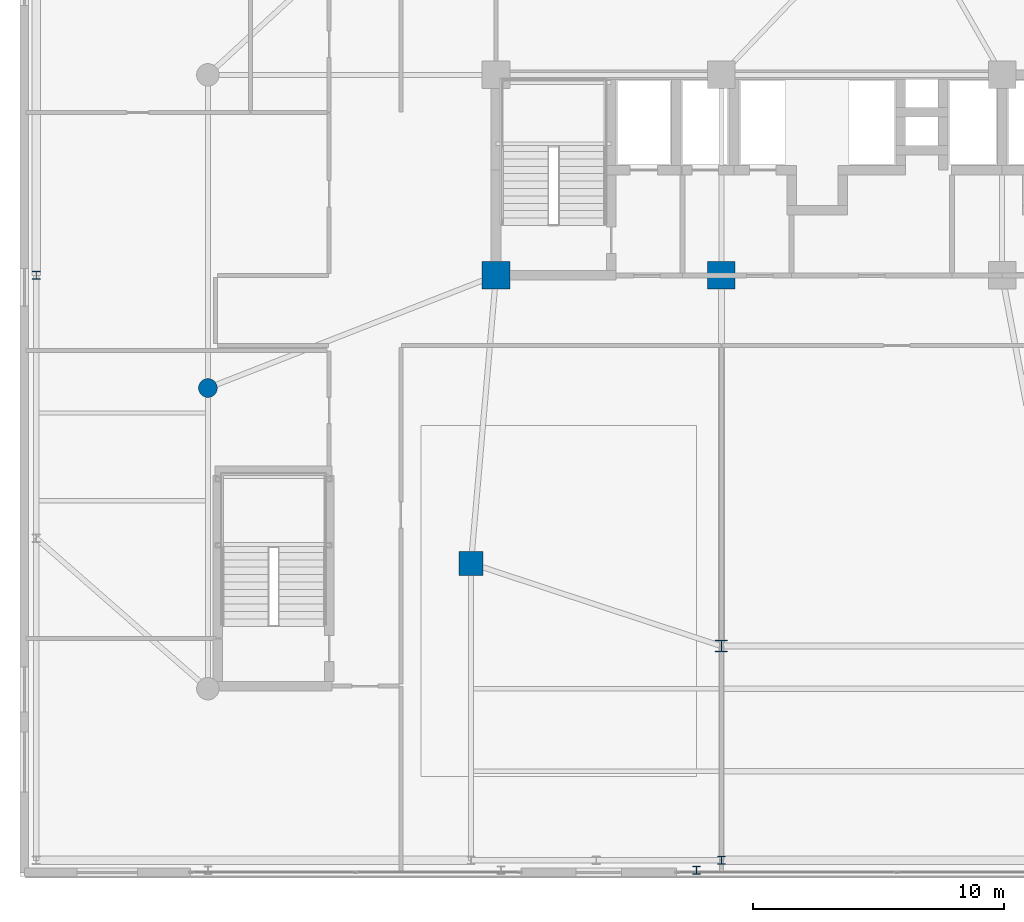
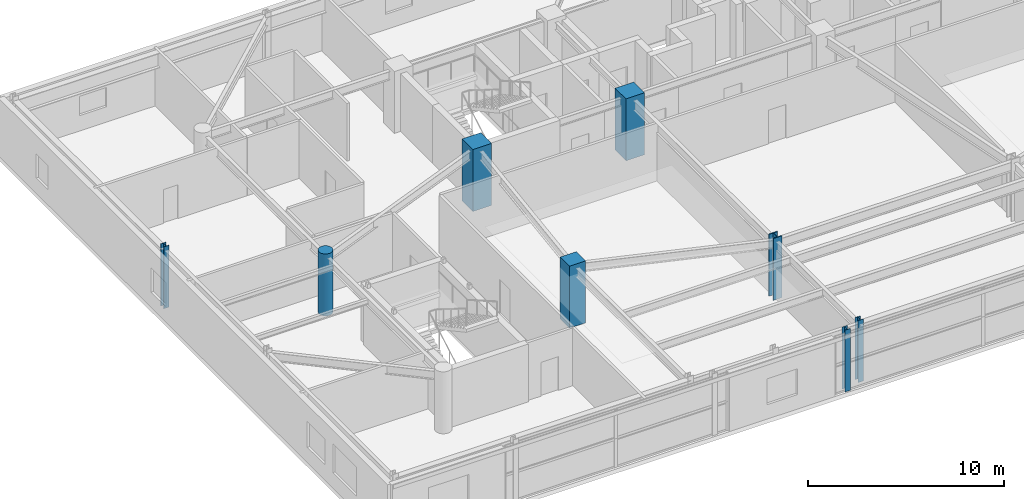
# One storey, part 2 of 26: 8 columns.
"""IFC4 building model written with IfcOpenShell, lengths in metres."""

from ifc_helpers import new_model, si_unit, direction, frame, origin, origin_2d, place, context, subcontext, project, spatial, rectangle, circle, i_section, extrude, source, transform, mapped, material, material_profile, profile_set, type_object, element, save


model = new_model("IFC4")

# Units and contexts
model_context = context("Model", 3, precision=1e-05, world=origin(), true_north=direction((0.0, 1.0)))
body_context = subcontext(model_context, "Body", "Model", "MODEL_VIEW")
ifc_project = project(units=[si_unit("LENGTHUNIT", "METRE"), si_unit("AREAUNIT", "SQUARE_METRE"), si_unit("VOLUMEUNIT", "CUBIC_METRE"), si_unit("PLANEANGLEUNIT", "RADIAN"), si_unit("MASSUNIT", "GRAM", prefix="KILO")], contexts=[model_context])

# Site, building, storey
site_placement = place(None, origin())
site = spatial("IfcSite", under=ifc_project, at=site_placement, CompositionType="ELEMENT")
building_placement = place(site_placement, origin())
building = spatial("IfcBuilding", under=site, at=building_placement, Name="Taldren Reach Tower", CompositionType="ELEMENT")
storey_placement = place(building_placement, frame((0.0, 0.0, 4.550048828125)))
storey = spatial("IfcBuildingStorey", under=building, at=storey_placement, Name="L01", CompositionType="ELEMENT", Elevation=4.550048828125)

# Columns
ifc_material_1 = material(Name="Concrete S100 (100 MPa)", Category="concrete")
ifc_material_profile_1 = material_profile(ifc_material_1, rectangle(XDim=1.10009765625, YDim=1.10009765625, at=origin_2d()), Name="RC-1100x1100")
ifc_profile_set_1 = profile_set([ifc_material_profile_1], Name="Concrete S100 (100 MPa)")
column_type_1 = type_object("IfcColumnType", Name="COL-RC1100", PredefinedType="COLUMN", material=ifc_profile_set_1)
shared_shape_1 = source(origin(), body_context, "Body", "SweptSolid", [
    extrude(rectangle(XDim=1.10009765625, YDim=1.10009765625, at=origin_2d()), origin(), (0.0, 0.0, 1.0), 3.849853515625),
])
for number, where, z_axis, x_axis, name in (
    (1, (19.0, 24.0, 0.0), (0.0, 0.0, 1.0), (1.0, 0.0, 0.0), "Mega column MC-C1 L01"),
    (2, (28.0, 24.0, 0.0), (0.0, 0.0, 1.0), (1.0, 0.0, 0.0), "Mega column MC-C2 L01"),
):
    element("IfcColumn", number, at=place(storey_placement, frame(where, z_axis=z_axis, x_axis=x_axis)), inside=storey, type_object=column_type_1, Name=name, PredefinedType="COLUMN", context=body_context, shape_type="MappedRepresentation", body=[
        mapped(shared_shape_1, transform((0.0, 0.0, 0.0), scale=1.0)),
    ])
ifc_material_2 = material(Name="Steel Gr 350 (350PLUS)", Category="steel")
ifc_material_profile_2 = material_profile(ifc_material_2, i_section(OverallWidth=0.5, OverallDepth=0.47998046875, WebThickness=0.028076171875, FlangeThickness=0.0439453125, at=origin_2d()), Name="500WC440")
ifc_profile_set_2 = profile_set([ifc_material_profile_2], Name="Steel Gr 350 (350PLUS)")
column_type_2 = type_object("IfcColumnType", Name="COL-WC500A", PredefinedType="COLUMN", material=ifc_profile_set_2)
shared_shape_2 = source(origin(), body_context, "Body", "SweptSolid", [
    extrude(i_section(OverallWidth=0.5, OverallDepth=0.47998046875, WebThickness=0.028076171875, FlangeThickness=0.0439453125, at=origin_2d()), origin(), (0.0, 0.0, 1.0), 3.849853515625),
])
column_1_placement = place(storey_placement, frame((28.0, 9.199951171875, 0.0), z_axis=(0.0, 0.0, 1.0), x_axis=(1.0, 0.0, 0.0)))
element("IfcColumn", 3, at=column_1_placement, inside=storey, type_object=column_type_2, Name="Mega column MC-PJW L01", PredefinedType="COLUMN", context=body_context, shape_type="MappedRepresentation", body=[
    mapped(shared_shape_2, transform((0.0, 0.0, 0.0), scale=1.0)),
])
ifc_material_3 = material(Name="Concrete S80 (80 MPa)", Category="concrete")
ifc_material_profile_3 = material_profile(ifc_material_3, rectangle(XDim=0.949951171875, YDim=0.949951171875, at=origin_2d()), Name="RC-950x950")
ifc_profile_set_3 = profile_set([ifc_material_profile_3], Name="Concrete S80 (80 MPa)")
column_type_3 = type_object("IfcColumnType", Name="COL-RC950", PredefinedType="COLUMN", material=ifc_profile_set_3)
shared_shape_3 = source(origin(), body_context, "Body", "SweptSolid", [
    extrude(rectangle(XDim=0.949951171875, YDim=0.949951171875, at=origin_2d()), origin(), (0.0, 0.0, 1.0), 3.849853515625),
])
column_2_placement = place(storey_placement, frame((18.0, 12.5, 0.0), z_axis=(0.0, 0.0, 1.0), x_axis=(1.0, 0.0, 0.0)))
element("IfcColumn", 4, at=column_2_placement, inside=storey, type_object=column_type_3, Name="Mega column MC-SW L01", PredefinedType="COLUMN", context=body_context, shape_type="MappedRepresentation", body=[
    mapped(shared_shape_3, transform((0.0, 0.0, 0.0), scale=1.0)),
])
ifc_material_4 = material(Name="Concrete S65 (65 MPa)", Category="concrete")
ifc_material_profile_4 = material_profile(ifc_material_4, circle(Radius=0.375, at=origin_2d()), Name="RC-750D")
ifc_profile_set_4 = profile_set([ifc_material_profile_4], Name="Concrete S65 (65 MPa)")
column_type_4 = type_object("IfcColumnType", Name="COL-RCD750", PredefinedType="COLUMN", material=ifc_profile_set_4)
shared_shape_4 = source(origin(), body_context, "Body", "SweptSolid", [
    extrude(circle(Radius=0.375, at=origin_2d()), origin(), (0.0, 0.0, 1.0), 3.849853515625),
])
column_3_placement = place(storey_placement, frame((7.5, 19.5, 0.0), z_axis=(0.0, 0.0, 1.0), x_axis=(1.0, 0.0, 0.0)))
element("IfcColumn", 5, at=column_3_placement, inside=storey, type_object=column_type_4, Name="Podium structural column PG-2 L01", PredefinedType="COLUMN", context=body_context, shape_type="MappedRepresentation", body=[
    mapped(shared_shape_4, transform((0.0, 0.0, 0.0), scale=1.0)),
])
ifc_material_profile_5 = material_profile(ifc_material_2, i_section(OverallWidth=0.31103515625, OverallDepth=0.326904296875, WebThickness=0.015625, FlangeThickness=0.02490234375, at=origin_2d()), Name="310UC158")
ifc_profile_set_5 = profile_set([ifc_material_profile_5], Name="Steel Gr 350 (350PLUS)")
column_type_5 = type_object("IfcColumnType", Name="COL-UC310A", PredefinedType="COLUMN", material=ifc_profile_set_5)
shared_shape_5 = source(origin(), body_context, "Body", "SweptSolid", [
    extrude(i_section(OverallWidth=0.31103515625, OverallDepth=0.326904296875, WebThickness=0.015625, FlangeThickness=0.02490234375, at=origin_2d()), origin(), (0.0, 0.0, 1.0), 3.849853515625),
])
for number, where, z_axis, x_axis, name in (
    (6, (28.0, 0.64990234375, 0.0), (0.0, 0.0, 1.0), (1.0, 0.0, 0.0), "Podium structural column PG-7 L01"),
    (7, (0.64990234375, 24.0, 0.0), (0.0, 0.0, 1.0), (1.0, 0.0, 0.0), "Podium structural column PP-W3 L01"),
):
    element("IfcColumn", number, at=place(storey_placement, frame(where, z_axis=z_axis, x_axis=x_axis)), inside=storey, type_object=column_type_5, Name=name, PredefinedType="COLUMN", context=body_context, shape_type="MappedRepresentation", body=[
        mapped(shared_shape_5, transform((0.0, 0.0, 0.0), scale=1.0)),
    ])
ifc_material_profile_6 = material_profile(ifc_material_2, i_section(OverallWidth=0.306884765625, OverallDepth=0.31494140625, WebThickness=0.011962890625, FlangeThickness=0.018798828125, at=origin_2d()), Name="310UC118")
ifc_profile_set_6 = profile_set([ifc_material_profile_6], Name="Steel Gr 350 (350PLUS)")
column_type_6 = type_object("IfcColumnType", Name="PIL-UC310", PredefinedType="PILASTER", material=ifc_profile_set_6)
shared_shape_6 = source(origin(), body_context, "Body", "SweptSolid", [
    extrude(i_section(OverallWidth=0.306884765625, OverallDepth=0.31494140625, WebThickness=0.011962890625, FlangeThickness=0.018798828125, at=origin_2d()), origin(), (0.0, 0.0, 1.0), 3.849853515625),
])
column_4_placement = place(storey_placement, frame((27.0, 0.25, 0.0), z_axis=(0.0, 0.0, 1.0), x_axis=(1.0, 0.0, 0.0)))
element("IfcColumn", 8, at=column_4_placement, inside=storey, type_object=column_type_6, Name="Waterfront colonnade pilaster S-27.0 L01", PredefinedType="PILASTER", context=body_context, shape_type="MappedRepresentation", body=[
    mapped(shared_shape_6, transform((0.0, 0.0, 0.0), scale=1.0)),
])

save(model, "model.ifc")
